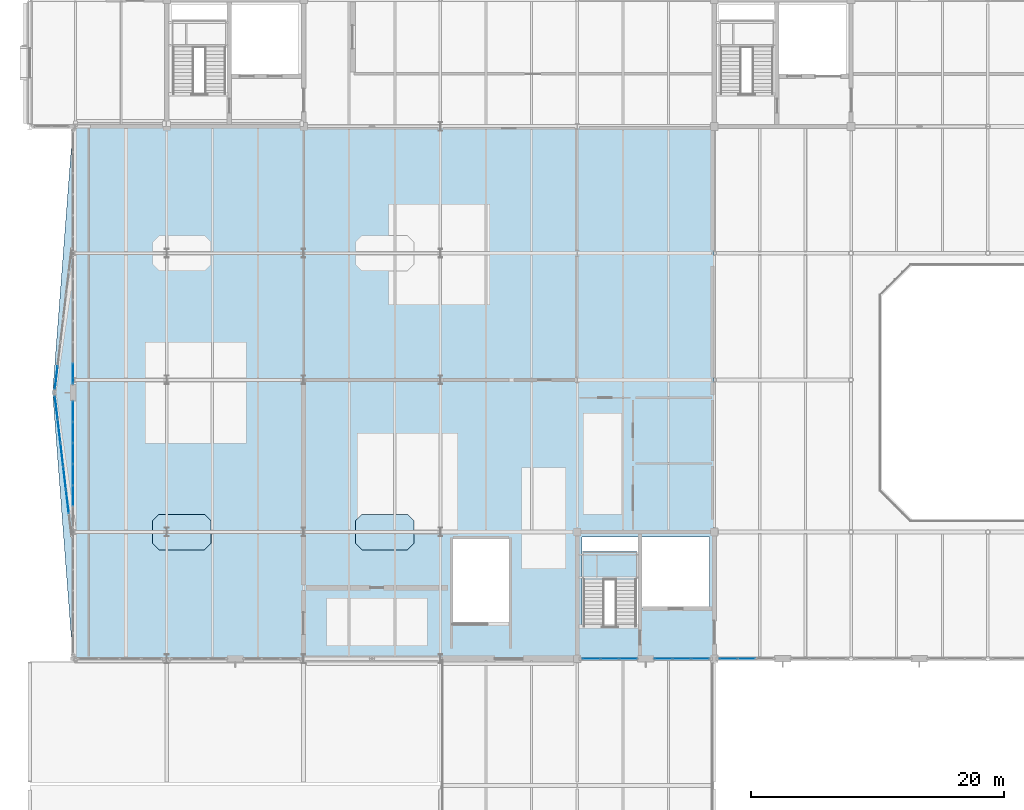
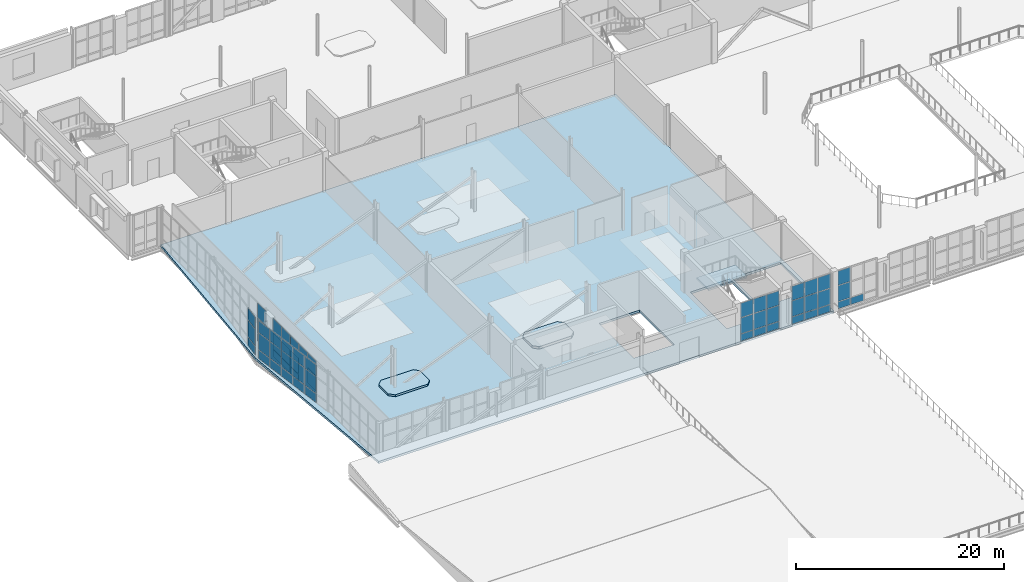
# One storey, part 63 of 100: 57 plates, 4 slabs, 8 elements without a shape of their own.
"""IFC4 building model written with IfcOpenShell, lengths in metres."""

from ifc_helpers import new_model, si_unit, direction, frame, origin, origin_2d, place, context, subcontext, project, spatial, polyline, rectangle, outline, extrude, material, layer, layer_set, type_object, element, aggregate, save


model = new_model("IFC4")

# Units and contexts
model_context = context("Model", 3, precision=1e-05, world=origin(), true_north=direction((0.0, 1.0)))
body_context = subcontext(model_context, "Body", "Model", "MODEL_VIEW")
ifc_project = project(units=[si_unit("LENGTHUNIT", "METRE"), si_unit("AREAUNIT", "SQUARE_METRE"), si_unit("VOLUMEUNIT", "CUBIC_METRE"), si_unit("PLANEANGLEUNIT", "RADIAN"), si_unit("MASSUNIT", "GRAM", prefix="KILO")], contexts=[model_context])

# Site, building, storey
site_placement = place(None, origin())
site = spatial("IfcSite", under=ifc_project, at=site_placement, CompositionType="ELEMENT")
building_placement = place(site_placement, origin())
building = spatial("IfcBuilding", under=site, at=building_placement, Name="Tasgan Crest Museum", CompositionType="ELEMENT")
storey_placement = place(building_placement, frame((0.0, 0.0, 9.60009765625)))
storey = spatial("IfcBuildingStorey", under=building, at=storey_placement, Name="L02", CompositionType="ELEMENT", Elevation=9.60009765625)

# Curtain wall, plate
ifc_material_1 = material(Name="Triple-Glazed Aluminium Curtain Wall", Category="aluminium")
ifc_layer_1 = layer(ifc_material_1, 0.179931640625, Name="CW-CANT-TIP-48")
ifc_layer_set_1 = layer_set([ifc_layer_1], Name="Triple-Glazed Aluminium Curtain Wall")
curtain_wall_type_1 = type_object("IfcCurtainWallType", Name="CW-CANT-TIP-48", PredefinedType="NOTDEFINED", material=ifc_layer_set_1)
curtain_wall_1_placement = place(storey_placement, origin())
curtain_wall_1 = element("IfcCurtainWall", 1, at=curtain_wall_1_placement, inside=storey, type_object=curtain_wall_type_1, Name="Curtain wall L02 094", PredefinedType="NOTDEFINED")
ifc_material_2 = material(Name="Insulated Spandrel Glass", Category="glass")
ifc_layer_2 = layer(ifc_material_2, 0.052001953125, Name="CW-PANEL-SPANDREL")
ifc_layer_set_2 = layer_set([ifc_layer_2], Name="Insulated Spandrel Glass")
plate_type_1 = type_object("IfcPlateType", Name="CW-PANEL-SPANDREL", PredefinedType="CURTAIN_PANEL", material=ifc_layer_set_2)
plate_1_placement = place(storey_placement, frame((3.39990234375, 62.492919921875, 0.059814453125), z_axis=(0.0, 0.0, 1.0), x_axis=(0.0, -1.0, 0.0)))
plate_1 = element("IfcPlate", 2, at=plate_1_placement, type_object=plate_type_1, Name="CW09 panel 12.1", PredefinedType="CURTAIN_PANEL", context=body_context, shape_type="SweptSolid", body=[
    extrude(rectangle(XDim=1.575927734375, YDim=0.028076171875, at=origin_2d()), origin(), (0.0, 0.0, 1.0), 0.81005859375),
])

# Curtain wall, plates
curtain_wall_2_placement = place(storey_placement, origin())
curtain_wall_2 = element("IfcCurtainWall", 3, at=curtain_wall_2_placement, inside=storey, type_object=curtain_wall_type_1, Name="Curtain wall L02 095", PredefinedType="NOTDEFINED")
plate_2_placement = place(storey_placement, frame((3.39990234375, 59.507080078125, 0.059814453125), z_axis=(0.0, 0.0, 1.0), x_axis=(0.0, -1.0, 0.0)))
plate_2 = element("IfcPlate", 4, at=plate_2_placement, type_object=plate_type_1, Name="CW09 panel 1.1", PredefinedType="CURTAIN_PANEL", context=body_context, shape_type="SweptSolid", body=[
    extrude(rectangle(XDim=1.575927734375, YDim=0.028076171875, at=origin_2d()), origin(), (0.0, 0.0, 1.0), 0.81005859375),
])
plate_3_placement = place(storey_placement, frame((3.39990234375, 57.856201171875, 0.059814453125), z_axis=(0.0, 0.0, 1.0), x_axis=(0.0, -1.0, 0.0)))
plate_3 = element("IfcPlate", 5, at=plate_3_placement, type_object=plate_type_1, Name="CW09 panel 2.1", PredefinedType="CURTAIN_PANEL", context=body_context, shape_type="SweptSolid", body=[
    extrude(rectangle(XDim=1.605712890625, YDim=0.028076171875, at=origin_2d()), origin(), (0.0, 0.0, 1.0), 0.81005859375),
])
plate_4_placement = place(storey_placement, frame((3.39990234375, 56.1904296875, 0.059814453125), z_axis=(0.0, 0.0, 1.0), x_axis=(0.0, -1.0, 0.0)))
plate_4 = element("IfcPlate", 6, at=plate_4_placement, type_object=plate_type_1, Name="CW09 panel 3.1", PredefinedType="CURTAIN_PANEL", context=body_context, shape_type="SweptSolid", body=[
    extrude(rectangle(XDim=1.605712890625, YDim=0.028076171875, at=origin_2d()), origin(), (0.0, 0.0, 1.0), 0.81005859375),
])
plate_5_placement = place(storey_placement, frame((3.39990234375, 54.524658203125, 0.059814453125), z_axis=(0.0, 0.0, 1.0), x_axis=(0.0, -1.0, 0.0)))
plate_5 = element("IfcPlate", 7, at=plate_5_placement, type_object=plate_type_1, Name="CW09 panel 4.1", PredefinedType="CURTAIN_PANEL", context=body_context, shape_type="SweptSolid", body=[
    extrude(rectangle(XDim=1.605712890625, YDim=0.028076171875, at=origin_2d()), origin(), (0.0, 0.0, 1.0), 0.81005859375),
])

ifc_material_3 = material(Name="Triple-Glazed Aluminium Curtain Wall", Category="aluminium")
ifc_layer_3 = layer(ifc_material_3, 0.179931640625, Name="CW-CANT-SIDE-48")
ifc_layer_set_3 = layer_set([ifc_layer_3], Name="Triple-Glazed Aluminium Curtain Wall")
curtain_wall_type_2 = type_object("IfcCurtainWallType", Name="CW-CANT-SIDE-48", PredefinedType="NOTDEFINED", material=ifc_layer_set_3)
curtain_wall_3_placement = place(storey_placement, origin())
curtain_wall_3 = element("IfcCurtainWall", 8, at=curtain_wall_3_placement, inside=storey, type_object=curtain_wall_type_2, Name="Curtain wall L02 099", PredefinedType="NOTDEFINED")
plate_6_placement = place(storey_placement, frame((44.311767578125, 40.0, 0.059814453125), z_axis=(0.0, 0.0, 1.0), x_axis=(1.0, 0.0, 0.0)))
plate_6 = element("IfcPlate", 9, at=plate_6_placement, type_object=plate_type_1, Name="CW11 panel 1.1", PredefinedType="CURTAIN_PANEL", context=body_context, shape_type="SweptSolid", body=[
    extrude(rectangle(XDim=1.373291015625, YDim=0.028076171875, at=origin_2d()), origin(), (0.0, 0.0, 1.0), 0.81005859375),
])
plate_7_placement = place(storey_placement, frame((45.760009765625, 40.0, 0.059814453125), z_axis=(0.0, 0.0, 1.0), x_axis=(1.0, 0.0, 0.0)))
plate_7 = element("IfcPlate", 10, at=plate_7_placement, type_object=plate_type_1, Name="CW11 panel 2.1", PredefinedType="CURTAIN_PANEL", context=body_context, shape_type="SweptSolid", body=[
    extrude(rectangle(XDim=1.4033203125, YDim=0.028076171875, at=origin_2d()), origin(), (0.0, 0.0, 1.0), 0.81005859375),
])
plate_8_placement = place(storey_placement, frame((47.208251953125, 40.0, 0.059814453125), z_axis=(0.0, 0.0, 1.0), x_axis=(1.0, 0.0, 0.0)))
plate_8 = element("IfcPlate", 11, at=plate_8_placement, type_object=plate_type_1, Name="CW11 panel 3.1", PredefinedType="CURTAIN_PANEL", context=body_context, shape_type="SweptSolid", body=[
    extrude(rectangle(XDim=1.373291015625, YDim=0.028076171875, at=origin_2d()), origin(), (0.0, 0.0, 1.0), 0.81005859375),
])

curtain_wall_4_placement = place(storey_placement, origin())
curtain_wall_4 = element("IfcCurtainWall", 12, at=curtain_wall_4_placement, inside=storey, type_object=curtain_wall_type_2, Name="Curtain wall L02 100", PredefinedType="NOTDEFINED")
plate_9_placement = place(storey_placement, frame((49.99169921875, 40.0, 0.059814453125), z_axis=(0.0, 0.0, 1.0), x_axis=(1.0, 0.0, 0.0)))
plate_9 = element("IfcPlate", 13, at=plate_9_placement, type_object=plate_type_1, Name="CW11 panel 1.1", PredefinedType="CURTAIN_PANEL", context=body_context, shape_type="SweptSolid", body=[
    extrude(rectangle(XDim=1.373291015625, YDim=0.028076171875, at=origin_2d()), origin(), (0.0, 0.0, 1.0), 0.81005859375),
])
plate_10_placement = place(storey_placement, frame((51.43994140625, 40.0, 0.059814453125), z_axis=(0.0, 0.0, 1.0), x_axis=(1.0, 0.0, 0.0)))
plate_10 = element("IfcPlate", 14, at=plate_10_placement, type_object=plate_type_1, Name="CW11 panel 2.1", PredefinedType="CURTAIN_PANEL", context=body_context, shape_type="SweptSolid", body=[
    extrude(rectangle(XDim=1.4033203125, YDim=0.028076171875, at=origin_2d()), origin(), (0.0, 0.0, 1.0), 0.81005859375),
])
plate_11_placement = place(storey_placement, frame((52.888427734375, 40.0, 0.059814453125), z_axis=(0.0, 0.0, 1.0), x_axis=(1.0, 0.0, 0.0)))
plate_11 = element("IfcPlate", 15, at=plate_11_placement, type_object=plate_type_1, Name="CW11 panel 3.1", PredefinedType="CURTAIN_PANEL", context=body_context, shape_type="SweptSolid", body=[
    extrude(rectangle(XDim=1.373291015625, YDim=0.028076171875, at=origin_2d()), origin(), (0.0, 0.0, 1.0), 0.81005859375),
])

ifc_material_4 = material(Name="Triple-Glazed Aluminium Curtain Wall", Category="aluminium")
ifc_layer_4 = layer(ifc_material_4, 0.179931640625, Name="CW-DRUM-X-48")
ifc_layer_set_4 = layer_set([ifc_layer_4], Name="Triple-Glazed Aluminium Curtain Wall")
curtain_wall_type_3 = type_object("IfcCurtainWallType", Name="CW-DRUM-X-48", PredefinedType="NOTDEFINED", material=ifc_layer_set_4)
curtain_wall_5_placement = place(storey_placement, origin())
curtain_wall_5 = element("IfcCurtainWall", 16, at=curtain_wall_5_placement, inside=storey, type_object=curtain_wall_type_3, Name="Curtain wall L02 101", PredefinedType="NOTDEFINED")
plate_12_placement = place(storey_placement, frame((55.111572265625, 40.0, 0.059814453125), z_axis=(0.0, 0.0, 1.0), x_axis=(1.0, 0.0, 0.0)))
plate_12 = element("IfcPlate", 17, at=plate_12_placement, type_object=plate_type_1, Name="CW03 panel 1.1", PredefinedType="CURTAIN_PANEL", context=body_context, shape_type="SweptSolid", body=[
    extrude(rectangle(XDim=1.373291015625, YDim=0.028076171875, at=origin_2d()), origin(), (0.0, 0.0, 1.0), 0.81005859375),
])
plate_13_placement = place(storey_placement, frame((56.56005859375, 40.0, 0.059814453125), z_axis=(0.0, 0.0, 1.0), x_axis=(1.0, 0.0, 0.0)))
plate_13 = element("IfcPlate", 18, at=plate_13_placement, type_object=plate_type_1, Name="CW03 panel 2.1", PredefinedType="CURTAIN_PANEL", context=body_context, shape_type="SweptSolid", body=[
    extrude(rectangle(XDim=1.4033203125, YDim=0.028076171875, at=origin_2d()), origin(), (0.0, 0.0, 1.0), 0.81005859375),
])

# Plate
ifc_material_5 = material(Name="Low-E Triple Glazing", Category="glass")
ifc_layer_5 = layer(ifc_material_5, 0.0439453125, Name="CW-PANEL-TRIPLE")
ifc_layer_set_5 = layer_set([ifc_layer_5], Name="Low-E Triple Glazing")
plate_type_2 = type_object("IfcPlateType", Name="CW-PANEL-TRIPLE", PredefinedType="CURTAIN_PANEL", material=ifc_layer_set_5)
plate_14_placement = place(storey_placement, frame((3.39990234375, 62.492919921875, 0.9296875), z_axis=(0.0, 0.0, 1.0), x_axis=(0.0, -1.0, 0.0)))
plate_14 = element("IfcPlate", 19, at=plate_14_placement, type_object=plate_type_2, Name="CW09 panel 12.2", PredefinedType="CURTAIN_PANEL", context=body_context, shape_type="SweptSolid", body=[
    extrude(rectangle(XDim=1.575927734375, YDim=0.028076171875, at=origin_2d()), origin(), (0.0, 0.0, 1.0), 1.840087890625),
])

plate_15_placement = place(storey_placement, frame((3.39990234375, 62.492919921875, 2.829833984375), z_axis=(0.0, 0.0, 1.0), x_axis=(0.0, -1.0, 0.0)))
plate_15 = element("IfcPlate", 20, at=plate_15_placement, type_object=plate_type_2, Name="CW09 panel 12.3", PredefinedType="CURTAIN_PANEL", context=body_context, shape_type="SweptSolid", body=[
    extrude(rectangle(XDim=1.575927734375, YDim=0.028076171875, at=origin_2d()), origin(), (0.0, 0.0, 1.0), 1.669921875),
])

aggregate(curtain_wall_1, [plate_1, plate_14, plate_15])

plate_16_placement = place(storey_placement, frame((3.39990234375, 59.507080078125, 0.9296875), z_axis=(0.0, 0.0, 1.0), x_axis=(0.0, -1.0, 0.0)))
plate_16 = element("IfcPlate", 21, at=plate_16_placement, type_object=plate_type_2, Name="CW09 panel 1.2", PredefinedType="CURTAIN_PANEL", context=body_context, shape_type="SweptSolid", body=[
    extrude(rectangle(XDim=1.575927734375, YDim=0.028076171875, at=origin_2d()), origin(), (0.0, 0.0, 1.0), 1.840087890625),
])

plate_17_placement = place(storey_placement, frame((3.39990234375, 59.507080078125, 2.829833984375), z_axis=(0.0, 0.0, 1.0), x_axis=(0.0, -1.0, 0.0)))
plate_17 = element("IfcPlate", 22, at=plate_17_placement, type_object=plate_type_2, Name="CW09 panel 1.3", PredefinedType="CURTAIN_PANEL", context=body_context, shape_type="SweptSolid", body=[
    extrude(rectangle(XDim=1.575927734375, YDim=0.028076171875, at=origin_2d()), origin(), (0.0, 0.0, 1.0), 1.669921875),
])

plate_18_placement = place(storey_placement, frame((3.39990234375, 57.856201171875, 0.9296875), z_axis=(0.0, 0.0, 1.0), x_axis=(0.0, -1.0, 0.0)))
plate_18 = element("IfcPlate", 23, at=plate_18_placement, type_object=plate_type_2, Name="CW09 panel 2.2", PredefinedType="CURTAIN_PANEL", context=body_context, shape_type="SweptSolid", body=[
    extrude(rectangle(XDim=1.605712890625, YDim=0.028076171875, at=origin_2d()), origin(), (0.0, 0.0, 1.0), 1.840087890625),
])

plate_19_placement = place(storey_placement, frame((3.39990234375, 57.856201171875, 2.829833984375), z_axis=(0.0, 0.0, 1.0), x_axis=(0.0, -1.0, 0.0)))
plate_19 = element("IfcPlate", 24, at=plate_19_placement, type_object=plate_type_2, Name="CW09 panel 2.3", PredefinedType="CURTAIN_PANEL", context=body_context, shape_type="SweptSolid", body=[
    extrude(rectangle(XDim=1.605712890625, YDim=0.028076171875, at=origin_2d()), origin(), (0.0, 0.0, 1.0), 1.669921875),
])

plate_20_placement = place(storey_placement, frame((3.39990234375, 56.1904296875, 0.9296875), z_axis=(0.0, 0.0, 1.0), x_axis=(0.0, -1.0, 0.0)))
plate_20 = element("IfcPlate", 25, at=plate_20_placement, type_object=plate_type_2, Name="CW09 panel 3.2", PredefinedType="CURTAIN_PANEL", context=body_context, shape_type="SweptSolid", body=[
    extrude(rectangle(XDim=1.605712890625, YDim=0.028076171875, at=origin_2d()), origin(), (0.0, 0.0, 1.0), 1.840087890625),
])

plate_21_placement = place(storey_placement, frame((3.39990234375, 56.1904296875, 2.829833984375), z_axis=(0.0, 0.0, 1.0), x_axis=(0.0, -1.0, 0.0)))
plate_21 = element("IfcPlate", 26, at=plate_21_placement, type_object=plate_type_2, Name="CW09 panel 3.3", PredefinedType="CURTAIN_PANEL", context=body_context, shape_type="SweptSolid", body=[
    extrude(rectangle(XDim=1.605712890625, YDim=0.028076171875, at=origin_2d()), origin(), (0.0, 0.0, 1.0), 1.669921875),
])

plate_22_placement = place(storey_placement, frame((3.39990234375, 54.524658203125, 0.9296875), z_axis=(0.0, 0.0, 1.0), x_axis=(0.0, -1.0, 0.0)))
plate_22 = element("IfcPlate", 27, at=plate_22_placement, type_object=plate_type_2, Name="CW09 panel 4.2", PredefinedType="CURTAIN_PANEL", context=body_context, shape_type="SweptSolid", body=[
    extrude(rectangle(XDim=1.605712890625, YDim=0.028076171875, at=origin_2d()), origin(), (0.0, 0.0, 1.0), 1.840087890625),
])

plate_23_placement = place(storey_placement, frame((3.39990234375, 54.524658203125, 2.829833984375), z_axis=(0.0, 0.0, 1.0), x_axis=(0.0, -1.0, 0.0)))
plate_23 = element("IfcPlate", 28, at=plate_23_placement, type_object=plate_type_2, Name="CW09 panel 4.3", PredefinedType="CURTAIN_PANEL", context=body_context, shape_type="SweptSolid", body=[
    extrude(rectangle(XDim=1.605712890625, YDim=0.028076171875, at=origin_2d()), origin(), (0.0, 0.0, 1.0), 1.669921875),
])

plate_24_placement = place(storey_placement, frame((3.39990234375, 52.858642578125, 0.9296875), z_axis=(0.0, 0.0, 1.0), x_axis=(0.0, -1.0, 0.0)))
plate_24 = element("IfcPlate", 29, at=plate_24_placement, type_object=plate_type_2, Name="CW09 panel 5.2", PredefinedType="CURTAIN_PANEL", context=body_context, shape_type="SweptSolid", body=[
    extrude(rectangle(XDim=1.605712890625, YDim=0.028076171875, at=origin_2d()), origin(), (0.0, 0.0, 1.0), 1.840087890625),
])

plate_25_placement = place(storey_placement, frame((3.39990234375, 52.858642578125, 2.829833984375), z_axis=(0.0, 0.0, 1.0), x_axis=(0.0, -1.0, 0.0)))
plate_25 = element("IfcPlate", 30, at=plate_25_placement, type_object=plate_type_2, Name="CW09 panel 5.3", PredefinedType="CURTAIN_PANEL", context=body_context, shape_type="SweptSolid", body=[
    extrude(rectangle(XDim=1.605712890625, YDim=0.028076171875, at=origin_2d()), origin(), (0.0, 0.0, 1.0), 1.669921875),
])

aggregate(curtain_wall_2, [plate_2, plate_16, plate_17, plate_3, plate_18, plate_19, plate_4, plate_20, plate_21, plate_5, plate_22, plate_23, plate_24, plate_25])

plate_26_placement = place(storey_placement, frame((44.311767578125, 40.0, 0.9296875), z_axis=(0.0, 0.0, 1.0), x_axis=(1.0, 0.0, 0.0)))
plate_26 = element("IfcPlate", 31, at=plate_26_placement, type_object=plate_type_2, Name="CW11 panel 1.2", PredefinedType="CURTAIN_PANEL", context=body_context, shape_type="SweptSolid", body=[
    extrude(rectangle(XDim=1.373291015625, YDim=0.028076171875, at=origin_2d()), origin(), (0.0, 0.0, 1.0), 1.840087890625),
])

plate_27_placement = place(storey_placement, frame((44.311767578125, 40.0, 2.829833984375), z_axis=(0.0, 0.0, 1.0), x_axis=(1.0, 0.0, 0.0)))
plate_27 = element("IfcPlate", 32, at=plate_27_placement, type_object=plate_type_2, Name="CW11 panel 1.3", PredefinedType="CURTAIN_PANEL", context=body_context, shape_type="SweptSolid", body=[
    extrude(rectangle(XDim=1.373291015625, YDim=0.028076171875, at=origin_2d()), origin(), (0.0, 0.0, 1.0), 1.669921875),
])

plate_28_placement = place(storey_placement, frame((45.760009765625, 40.0, 0.9296875), z_axis=(0.0, 0.0, 1.0), x_axis=(1.0, 0.0, 0.0)))
plate_28 = element("IfcPlate", 33, at=plate_28_placement, type_object=plate_type_2, Name="CW11 panel 2.2", PredefinedType="CURTAIN_PANEL", context=body_context, shape_type="SweptSolid", body=[
    extrude(rectangle(XDim=1.4033203125, YDim=0.028076171875, at=origin_2d()), origin(), (0.0, 0.0, 1.0), 1.840087890625),
])

plate_29_placement = place(storey_placement, frame((45.760009765625, 40.0, 2.829833984375), z_axis=(0.0, 0.0, 1.0), x_axis=(1.0, 0.0, 0.0)))
plate_29 = element("IfcPlate", 34, at=plate_29_placement, type_object=plate_type_2, Name="CW11 panel 2.3", PredefinedType="CURTAIN_PANEL", context=body_context, shape_type="SweptSolid", body=[
    extrude(rectangle(XDim=1.4033203125, YDim=0.028076171875, at=origin_2d()), origin(), (0.0, 0.0, 1.0), 1.669921875),
])

plate_30_placement = place(storey_placement, frame((47.208251953125, 40.0, 0.9296875), z_axis=(0.0, 0.0, 1.0), x_axis=(1.0, 0.0, 0.0)))
plate_30 = element("IfcPlate", 35, at=plate_30_placement, type_object=plate_type_2, Name="CW11 panel 3.2", PredefinedType="CURTAIN_PANEL", context=body_context, shape_type="SweptSolid", body=[
    extrude(rectangle(XDim=1.373291015625, YDim=0.028076171875, at=origin_2d()), origin(), (0.0, 0.0, 1.0), 1.840087890625),
])

plate_31_placement = place(storey_placement, frame((47.208251953125, 40.0, 2.829833984375), z_axis=(0.0, 0.0, 1.0), x_axis=(1.0, 0.0, 0.0)))
plate_31 = element("IfcPlate", 36, at=plate_31_placement, type_object=plate_type_2, Name="CW11 panel 3.3", PredefinedType="CURTAIN_PANEL", context=body_context, shape_type="SweptSolid", body=[
    extrude(rectangle(XDim=1.373291015625, YDim=0.028076171875, at=origin_2d()), origin(), (0.0, 0.0, 1.0), 1.669921875),
])

aggregate(curtain_wall_3, [plate_6, plate_26, plate_27, plate_7, plate_28, plate_29, plate_8, plate_30, plate_31])

plate_32_placement = place(storey_placement, frame((49.99169921875, 40.0, 0.9296875), z_axis=(0.0, 0.0, 1.0), x_axis=(1.0, 0.0, 0.0)))
plate_32 = element("IfcPlate", 37, at=plate_32_placement, type_object=plate_type_2, Name="CW11 panel 1.2", PredefinedType="CURTAIN_PANEL", context=body_context, shape_type="SweptSolid", body=[
    extrude(rectangle(XDim=1.373291015625, YDim=0.028076171875, at=origin_2d()), origin(), (0.0, 0.0, 1.0), 1.840087890625),
])

plate_33_placement = place(storey_placement, frame((49.99169921875, 40.0, 2.829833984375), z_axis=(0.0, 0.0, 1.0), x_axis=(1.0, 0.0, 0.0)))
plate_33 = element("IfcPlate", 38, at=plate_33_placement, type_object=plate_type_2, Name="CW11 panel 1.3", PredefinedType="CURTAIN_PANEL", context=body_context, shape_type="SweptSolid", body=[
    extrude(rectangle(XDim=1.373291015625, YDim=0.028076171875, at=origin_2d()), origin(), (0.0, 0.0, 1.0), 1.669921875),
])

plate_34_placement = place(storey_placement, frame((51.43994140625, 40.0, 0.9296875), z_axis=(0.0, 0.0, 1.0), x_axis=(1.0, 0.0, 0.0)))
plate_34 = element("IfcPlate", 39, at=plate_34_placement, type_object=plate_type_2, Name="CW11 panel 2.2", PredefinedType="CURTAIN_PANEL", context=body_context, shape_type="SweptSolid", body=[
    extrude(rectangle(XDim=1.4033203125, YDim=0.028076171875, at=origin_2d()), origin(), (0.0, 0.0, 1.0), 1.840087890625),
])

plate_35_placement = place(storey_placement, frame((51.43994140625, 40.0, 2.829833984375), z_axis=(0.0, 0.0, 1.0), x_axis=(1.0, 0.0, 0.0)))
plate_35 = element("IfcPlate", 40, at=plate_35_placement, type_object=plate_type_2, Name="CW11 panel 2.3", PredefinedType="CURTAIN_PANEL", context=body_context, shape_type="SweptSolid", body=[
    extrude(rectangle(XDim=1.4033203125, YDim=0.028076171875, at=origin_2d()), origin(), (0.0, 0.0, 1.0), 1.669921875),
])

plate_36_placement = place(storey_placement, frame((52.888427734375, 40.0, 0.9296875), z_axis=(0.0, 0.0, 1.0), x_axis=(1.0, 0.0, 0.0)))
plate_36 = element("IfcPlate", 41, at=plate_36_placement, type_object=plate_type_2, Name="CW11 panel 3.2", PredefinedType="CURTAIN_PANEL", context=body_context, shape_type="SweptSolid", body=[
    extrude(rectangle(XDim=1.373291015625, YDim=0.028076171875, at=origin_2d()), origin(), (0.0, 0.0, 1.0), 1.840087890625),
])

plate_37_placement = place(storey_placement, frame((52.888427734375, 40.0, 2.829833984375), z_axis=(0.0, 0.0, 1.0), x_axis=(1.0, 0.0, 0.0)))
plate_37 = element("IfcPlate", 42, at=plate_37_placement, type_object=plate_type_2, Name="CW11 panel 3.3", PredefinedType="CURTAIN_PANEL", context=body_context, shape_type="SweptSolid", body=[
    extrude(rectangle(XDim=1.373291015625, YDim=0.028076171875, at=origin_2d()), origin(), (0.0, 0.0, 1.0), 1.669921875),
])

aggregate(curtain_wall_4, [plate_9, plate_32, plate_33, plate_10, plate_34, plate_35, plate_11, plate_36, plate_37])

plate_38_placement = place(storey_placement, frame((55.111572265625, 40.0, 0.9296875), z_axis=(0.0, 0.0, 1.0), x_axis=(1.0, 0.0, 0.0)))
plate_38 = element("IfcPlate", 43, at=plate_38_placement, type_object=plate_type_2, Name="CW03 panel 1.2", PredefinedType="CURTAIN_PANEL", context=body_context, shape_type="SweptSolid", body=[
    extrude(rectangle(XDim=1.373291015625, YDim=0.028076171875, at=origin_2d()), origin(), (0.0, 0.0, 1.0), 1.840087890625),
])

plate_39_placement = place(storey_placement, frame((55.111572265625, 40.0, 2.829833984375), z_axis=(0.0, 0.0, 1.0), x_axis=(1.0, 0.0, 0.0)))
plate_39 = element("IfcPlate", 44, at=plate_39_placement, type_object=plate_type_2, Name="CW03 panel 1.3", PredefinedType="CURTAIN_PANEL", context=body_context, shape_type="SweptSolid", body=[
    extrude(rectangle(XDim=1.373291015625, YDim=0.028076171875, at=origin_2d()), origin(), (0.0, 0.0, 1.0), 1.669921875),
])

aggregate(curtain_wall_5, [plate_12, plate_38, plate_39, plate_13])

# Curtain wall, plates
curtain_wall_6_placement = place(storey_placement, origin())
curtain_wall_6 = element("IfcCurtainWall", 45, at=curtain_wall_6_placement, inside=storey, type_object=curtain_wall_type_1, Name="Cantilevered prow curtain wall L02 PROW-S", PredefinedType="NOTDEFINED")
plate_40_placement = place(storey_placement, frame((2.969970703125, 52.387451171875, 0.06005859375), z_axis=(0.0, 0.0, 1.0), x_axis=(-0.117564672774, 0.993065228329, 0.0)))
plate_40 = element("IfcPlate", 46, at=plate_40_placement, type_object=plate_type_2, Name="CW09 panel 2.1", PredefinedType="CURTAIN_PANEL", context=body_context, shape_type="SweptSolid", body=[
    extrude(rectangle(XDim=1.811279296875, YDim=0.028076171875, at=origin_2d()), origin(), (0.0, 0.0, 1.0), 1.010009765625),
])
plate_41_placement = place(storey_placement, frame((2.969970703125, 52.387451171875, 1.1298828125), z_axis=(0.0, 0.0, 1.0), x_axis=(-0.117564672774, 0.993065228329, 0.0)))
plate_41 = element("IfcPlate", 47, at=plate_41_placement, type_object=plate_type_2, Name="CW09 panel 2.2", PredefinedType="CURTAIN_PANEL", context=body_context, shape_type="SweptSolid", body=[
    extrude(rectangle(XDim=1.811279296875, YDim=0.028076171875, at=origin_2d()), origin(), (0.0, 0.0, 1.0), 1.93994140625),
])
plate_42_placement = place(storey_placement, frame((2.969970703125, 52.387451171875, 3.1298828125), z_axis=(0.0, 0.0, 1.0), x_axis=(-0.117564672774, 0.993065228329, 0.0)))
plate_42 = element("IfcPlate", 48, at=plate_42_placement, type_object=plate_type_2, Name="CW09 panel 2.3", PredefinedType="CURTAIN_PANEL", context=body_context, shape_type="SweptSolid", body=[
    extrude(rectangle(XDim=1.811279296875, YDim=0.028076171875, at=origin_2d()), origin(), (0.0, 0.0, 1.0), 1.3701171875),
])
plate_43_placement = place(storey_placement, frame((2.75, 54.245849609375, 0.06005859375), z_axis=(0.0, 0.0, 1.0), x_axis=(-0.117564672774, 0.993065228329, 0.0)))
plate_43 = element("IfcPlate", 49, at=plate_43_placement, type_object=plate_type_2, Name="CW09 panel 3.1", PredefinedType="CURTAIN_PANEL", context=body_context, shape_type="SweptSolid", body=[
    extrude(rectangle(XDim=1.811279296875, YDim=0.028076171875, at=origin_2d()), origin(), (0.0, 0.0, 1.0), 1.010009765625),
])
plate_44_placement = place(storey_placement, frame((2.75, 54.245849609375, 1.1298828125), z_axis=(0.0, 0.0, 1.0), x_axis=(-0.117564672774, 0.993065228329, 0.0)))
plate_44 = element("IfcPlate", 50, at=plate_44_placement, type_object=plate_type_2, Name="CW09 panel 3.2", PredefinedType="CURTAIN_PANEL", context=body_context, shape_type="SweptSolid", body=[
    extrude(rectangle(XDim=1.811279296875, YDim=0.028076171875, at=origin_2d()), origin(), (0.0, 0.0, 1.0), 1.93994140625),
])
plate_45_placement = place(storey_placement, frame((2.75, 54.245849609375, 3.1298828125), z_axis=(0.0, 0.0, 1.0), x_axis=(-0.117564672774, 0.993065228329, 0.0)))
plate_45 = element("IfcPlate", 51, at=plate_45_placement, type_object=plate_type_2, Name="CW09 panel 3.3", PredefinedType="CURTAIN_PANEL", context=body_context, shape_type="SweptSolid", body=[
    extrude(rectangle(XDim=1.811279296875, YDim=0.028076171875, at=origin_2d()), origin(), (0.0, 0.0, 1.0), 1.3701171875),
])
plate_46_placement = place(storey_placement, frame((2.530029296875, 56.104248046875, 0.06005859375), z_axis=(0.0, 0.0, 1.0), x_axis=(-0.117564672774, 0.993065228329, 0.0)))
plate_46 = element("IfcPlate", 52, at=plate_46_placement, type_object=plate_type_2, Name="CW09 panel 4.1", PredefinedType="CURTAIN_PANEL", context=body_context, shape_type="SweptSolid", body=[
    extrude(rectangle(XDim=1.811279296875, YDim=0.028076171875, at=origin_2d()), origin(), (0.0, 0.0, 1.0), 1.010009765625),
])
plate_47_placement = place(storey_placement, frame((2.530029296875, 56.104248046875, 1.1298828125), z_axis=(0.0, 0.0, 1.0), x_axis=(-0.117564672774, 0.993065228329, 0.0)))
plate_47 = element("IfcPlate", 53, at=plate_47_placement, type_object=plate_type_2, Name="CW09 panel 4.2", PredefinedType="CURTAIN_PANEL", context=body_context, shape_type="SweptSolid", body=[
    extrude(rectangle(XDim=1.811279296875, YDim=0.028076171875, at=origin_2d()), origin(), (0.0, 0.0, 1.0), 1.93994140625),
])
plate_48_placement = place(storey_placement, frame((2.530029296875, 56.104248046875, 3.1298828125), z_axis=(0.0, 0.0, 1.0), x_axis=(-0.117564672774, 0.993065228329, 0.0)))
plate_48 = element("IfcPlate", 54, at=plate_48_placement, type_object=plate_type_2, Name="CW09 panel 4.3", PredefinedType="CURTAIN_PANEL", context=body_context, shape_type="SweptSolid", body=[
    extrude(rectangle(XDim=1.811279296875, YDim=0.028076171875, at=origin_2d()), origin(), (0.0, 0.0, 1.0), 1.3701171875),
])
plate_49_placement = place(storey_placement, frame((2.31005859375, 57.96240234375, 0.06005859375), z_axis=(0.0, 0.0, 1.0), x_axis=(-0.117564672774, 0.993065228329, 0.0)))
plate_49 = element("IfcPlate", 55, at=plate_49_placement, type_object=plate_type_2, Name="CW09 panel 5.1", PredefinedType="CURTAIN_PANEL", context=body_context, shape_type="SweptSolid", body=[
    extrude(rectangle(XDim=1.811279296875, YDim=0.028076171875, at=origin_2d()), origin(), (0.0, 0.0, 1.0), 1.010009765625),
])
plate_50_placement = place(storey_placement, frame((2.31005859375, 57.96240234375, 1.1298828125), z_axis=(0.0, 0.0, 1.0), x_axis=(-0.117564672774, 0.993065228329, 0.0)))
plate_50 = element("IfcPlate", 56, at=plate_50_placement, type_object=plate_type_2, Name="CW09 panel 5.2", PredefinedType="CURTAIN_PANEL", context=body_context, shape_type="SweptSolid", body=[
    extrude(rectangle(XDim=1.811279296875, YDim=0.028076171875, at=origin_2d()), origin(), (0.0, 0.0, 1.0), 1.93994140625),
])
plate_51_placement = place(storey_placement, frame((2.31005859375, 57.96240234375, 3.1298828125), z_axis=(0.0, 0.0, 1.0), x_axis=(-0.117564672774, 0.993065228329, 0.0)))
plate_51 = element("IfcPlate", 57, at=plate_51_placement, type_object=plate_type_2, Name="CW09 panel 5.3", PredefinedType="CURTAIN_PANEL", context=body_context, shape_type="SweptSolid", body=[
    extrude(rectangle(XDim=1.811279296875, YDim=0.028076171875, at=origin_2d()), origin(), (0.0, 0.0, 1.0), 1.3701171875),
])
plate_52_placement = place(storey_placement, frame((2.091796875, 59.805908203125, 0.06005859375), z_axis=(0.0, 0.0, 1.0), x_axis=(-0.117564672774, 0.993065228329, 0.0)))
plate_52 = element("IfcPlate", 58, at=plate_52_placement, type_object=plate_type_2, Name="CW09 panel 6.1", PredefinedType="CURTAIN_PANEL", context=body_context, shape_type="SweptSolid", body=[
    extrude(rectangle(XDim=1.78125, YDim=0.028076171875, at=origin_2d()), origin(), (0.0, 0.0, 1.0), 1.010009765625),
])
plate_53_placement = place(storey_placement, frame((2.091796875, 59.805908203125, 1.1298828125), z_axis=(0.0, 0.0, 1.0), x_axis=(-0.117564672774, 0.993065228329, 0.0)))
plate_53 = element("IfcPlate", 59, at=plate_53_placement, type_object=plate_type_2, Name="CW09 panel 6.2", PredefinedType="CURTAIN_PANEL", context=body_context, shape_type="SweptSolid", body=[
    extrude(rectangle(XDim=1.78125, YDim=0.028076171875, at=origin_2d()), origin(), (0.0, 0.0, 1.0), 1.93994140625),
])
plate_54_placement = place(storey_placement, frame((2.091796875, 59.805908203125, 3.1298828125), z_axis=(0.0, 0.0, 1.0), x_axis=(-0.117564672774, 0.993065228329, 0.0)))
plate_54 = element("IfcPlate", 60, at=plate_54_placement, type_object=plate_type_2, Name="CW09 panel 6.3", PredefinedType="CURTAIN_PANEL", context=body_context, shape_type="SweptSolid", body=[
    extrude(rectangle(XDim=1.78125, YDim=0.028076171875, at=origin_2d()), origin(), (0.0, 0.0, 1.0), 1.3701171875),
])
aggregate(curtain_wall_6, [plate_40, plate_41, plate_42, plate_43, plate_44, plate_45, plate_46, plate_47, plate_48, plate_49, plate_50, plate_51, plate_52, plate_53, plate_54])

curtain_wall_7_placement = place(storey_placement, origin())
curtain_wall_7 = element("IfcCurtainWall", 61, at=curtain_wall_7_placement, inside=storey, type_object=curtain_wall_type_1, Name="Cantilevered prow curtain wall L02 PROW-N", PredefinedType="NOTDEFINED")
plate_55_placement = place(storey_placement, frame((2.091796875, 62.194091796875, 0.06005859375), z_axis=(0.0, 0.0, 1.0), x_axis=(0.117564672774, 0.993065228329, 0.0)))
plate_55 = element("IfcPlate", 62, at=plate_55_placement, type_object=plate_type_2, Name="CW09 panel 1.1", PredefinedType="CURTAIN_PANEL", context=body_context, shape_type="SweptSolid", body=[
    extrude(rectangle(XDim=1.78125, YDim=0.028076171875, at=origin_2d()), origin(), (0.0, 0.0, 1.0), 1.010009765625),
])
plate_56_placement = place(storey_placement, frame((2.091796875, 62.194091796875, 1.1298828125), z_axis=(0.0, 0.0, 1.0), x_axis=(0.117564672774, 0.993065228329, 0.0)))
plate_56 = element("IfcPlate", 63, at=plate_56_placement, type_object=plate_type_2, Name="CW09 panel 1.2", PredefinedType="CURTAIN_PANEL", context=body_context, shape_type="SweptSolid", body=[
    extrude(rectangle(XDim=1.78125, YDim=0.028076171875, at=origin_2d()), origin(), (0.0, 0.0, 1.0), 1.93994140625),
])
plate_57_placement = place(storey_placement, frame((2.091796875, 62.194091796875, 3.1298828125), z_axis=(0.0, 0.0, 1.0), x_axis=(0.117564672774, 0.993065228329, 0.0)))
plate_57 = element("IfcPlate", 64, at=plate_57_placement, type_object=plate_type_2, Name="CW09 panel 1.3", PredefinedType="CURTAIN_PANEL", context=body_context, shape_type="SweptSolid", body=[
    extrude(rectangle(XDim=1.78125, YDim=0.028076171875, at=origin_2d()), origin(), (0.0, 0.0, 1.0), 1.3701171875),
])
aggregate(curtain_wall_7, [plate_55, plate_56, plate_57])

# Slabs
ifc_material_6 = material(Name="Concrete C35/45", Category="concrete")
ifc_layer_6 = layer(ifc_material_6, 0.22998046875, Name="SL-DAIS-T07")
ifc_layer_set_6 = layer_set([ifc_layer_6], Name="Concrete C35/45")
slab_type_1 = type_object("IfcSlabType", Name="SL-DAIS-T07", PredefinedType="FLOOR", material=ifc_layer_set_6)
slab_1_placement = place(storey_placement, origin())
element("IfcSlab", 65, at=slab_1_placement, inside=storey, type_object=slab_type_1, Name="Exhibition specimen dais L02-17", PredefinedType="FLOOR", context=body_context, shape_type="SweptSolid", body=[
    extrude(outline(polyline([(10.199951171875, 48.60009765625), (13.800048828125, 48.60009765625), (14.300048828125, 49.10009765625), (14.300048828125, 50.89990234375), (13.800048828125, 51.39990234375), (10.199951171875, 51.39990234375), (9.699951171875, 50.89990234375), (9.699951171875, 49.10009765625), (10.199951171875, 48.60009765625)])), origin(), (0.0, 0.0, 1.0), 0.22998046875),
])
ifc_material_7 = material(Name="Concrete C35/45", Category="concrete")
ifc_layer_7 = layer(ifc_material_7, 0.2900390625, Name="SL-DAIS-T09")
ifc_layer_set_7 = layer_set([ifc_layer_7], Name="Concrete C35/45")
slab_type_2 = type_object("IfcSlabType", Name="SL-DAIS-T09", PredefinedType="FLOOR", material=ifc_layer_set_7)
slab_2_placement = place(storey_placement, origin())
element("IfcSlab", 66, at=slab_2_placement, inside=storey, type_object=slab_type_2, Name="Exhibition specimen dais L02-19", PredefinedType="FLOOR", context=body_context, shape_type="SweptSolid", body=[
    extrude(outline(polyline([(26.199951171875, 48.60009765625), (29.800048828125, 48.60009765625), (30.300048828125, 49.10009765625), (30.300048828125, 50.89990234375), (29.800048828125, 51.39990234375), (26.199951171875, 51.39990234375), (25.699951171875, 50.89990234375), (25.699951171875, 49.10009765625), (26.199951171875, 48.60009765625)])), origin(), (0.0, 0.0, 1.0), 0.289794921875),
])
ifc_material_8 = material(Name="Concrete C35/45", Category="concrete")
ifc_layer_8 = layer(ifc_material_8, 0.260009765625, Name="SL-FLR-260")
ifc_layer_set_8 = layer_set([ifc_layer_8], Name="Concrete C35/45")
slab_type_3 = type_object("IfcSlabType", Name="SL-FLR-260", PredefinedType="FLOOR", material=ifc_layer_set_8)
slab_3_placement = place(storey_placement, frame((0.0, 0.0, -0.260009765625)))
element("IfcSlab", 67, at=slab_3_placement, inside=storey, type_object=slab_type_3, Name="Floor slab L02 V4", PredefinedType="FLOOR", context=body_context, shape_type="SweptSolid", body=[
    extrude(outline(polyline([(3.39990234375, 40.0), (54.0, 40.0), (54.0, 82.0), (3.39990234375, 82.0), (1.800048828125, 61.0), (3.39990234375, 40.0)]), holes=[polyline([(43.580078125, 42.550048828125), (48.0, 42.550048828125), (48.0, 49.6201171875), (43.580078125, 49.6201171875), (43.580078125, 42.550048828125)]), polyline([(48.25, 44.0), (53.6201171875, 44.0), (53.6201171875, 49.6201171875), (48.25, 49.6201171875), (48.25, 44.0)]), polyline([(33.35009765625, 42.75), (37.85009765625, 42.75), (37.85009765625, 49.449951171875), (33.35009765625, 49.449951171875), (33.35009765625, 42.75)])]), origin(), (0.0, 0.0, 1.0), 0.260009765625),
])

# Stair, slab
ifc_material_9 = material(Name="Concrete C35/45", Category="concrete")
stair_type = type_object("IfcStairType", Name="ST-CORE-48", PredefinedType="HALF_TURN_STAIR", material=ifc_material_9)
stair_placement = place(storey_placement, origin())
stair = element("IfcStair", 68, at=stair_placement, inside=storey, type_object=stair_type, Name="Stair ST-SW-L02 L02", PredefinedType="HALF_TURN_STAIR")
ifc_material_10 = material(Name="Concrete C35/45", Category="concrete")
ifc_layer_9 = layer(ifc_material_10, 0.199951171875, Name="SL-LAND-200")
ifc_layer_set_9 = layer_set([ifc_layer_9], Name="Concrete C35/45")
slab_type_4 = type_object("IfcSlabType", Name="SL-LAND-200", PredefinedType="LANDING", material=ifc_layer_set_9)
slab_4_placement = place(storey_placement, frame((0.0, 0.0, 2.199951171875)))
slab_4 = element("IfcSlab", 69, at=slab_4_placement, type_object=slab_type_4, Name="ST-SW-L02 landing 1", PredefinedType="LANDING", context=body_context, shape_type="SweptSolid", body=[
    extrude(outline(polyline([(43.6201171875, 46.205078125), (47.929931640625, 46.205078125), (47.929931640625, 48.455078125), (43.6201171875, 48.455078125), (43.6201171875, 46.205078125)])), origin(), (0.0, 0.0, 1.0), 0.199951171875),
])
aggregate(stair, [slab_4])

save(model, "model.ifc")
